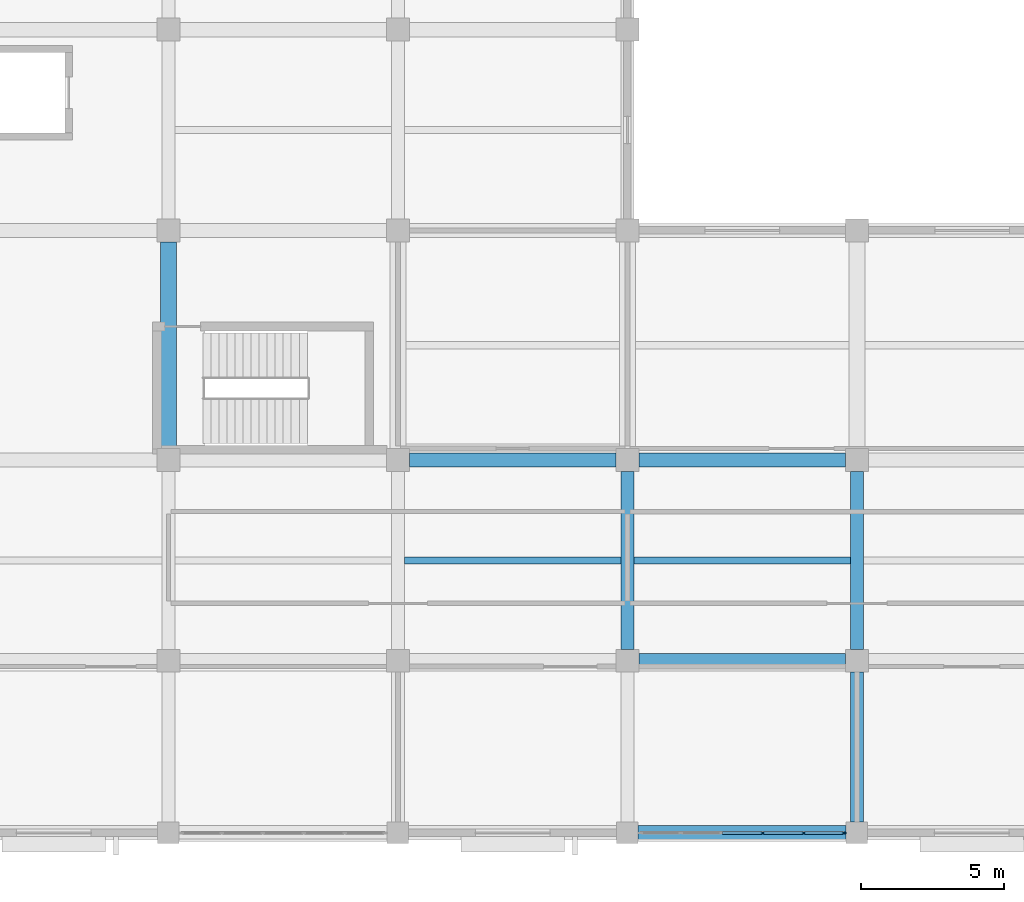
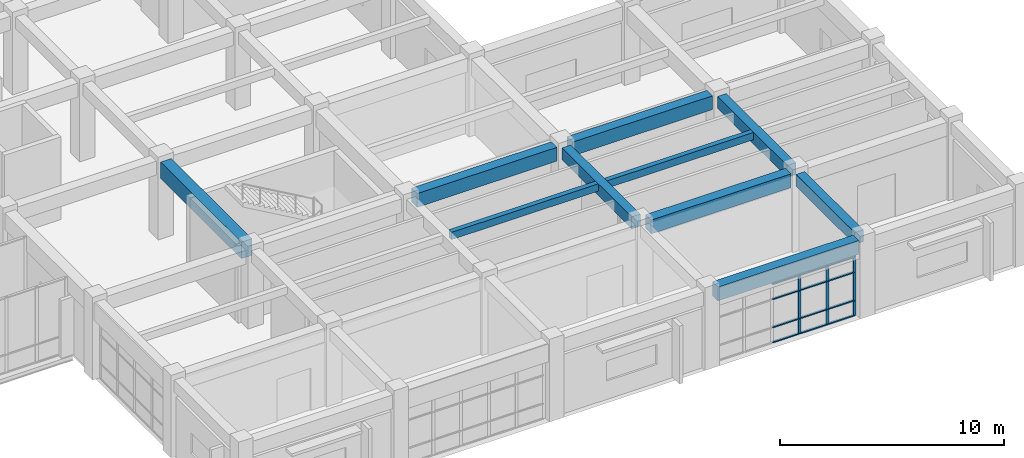
# One storey, part 34 of 70: 15 members, 10 beams, 1 element without a shape of its own.
"""IFC4 building model written with IfcOpenShell, lengths in metres."""

import ifcopenshell
import ifcopenshell.guid

model = None  # the IFC model being written
_history = None  # IfcOwnerHistory: only IFC2X3 demands one
_inside = {}  # id of a spatial element -> (the spatial element, [elements in it])
_under = {}  # id of a project, library or spatial element -> (it, [spatial elements below it])
_declared = {}  # id of a project -> (the project, [libraries it declares])
_typed = {}  # id of a type object -> (the type object, [elements of that type])
_made_of = {}  # id of a material, layer set ... -> (it, [elements and type objects made of it])


def new_model(schema):
    """Start an empty IFC model of exactly this schema.

    Asked for "IFC4X3", IfcOpenShell would pick the latest addendum, in which some entities
    have other attributes; the version numbers below select the first issue.
    IFC2X3 requires an IfcOwnerHistory on every rooted entity: one is made here for all.
    """
    global model, _history
    if schema == "IFC4X3":
        model = ifcopenshell.file(schema_version=(4, 3, 0, 0))
    else:
        model = ifcopenshell.file(schema=schema)
    _inside.clear()
    _under.clear()
    _declared.clear()
    _typed.clear()
    _made_of.clear()
    _history = None
    if model.schema == "IFC2X3":
        org = make("IfcOrganization", Name="unknown")
        user = make(
            "IfcPersonAndOrganization",
            ThePerson=make("IfcPerson", FamilyName="unknown"),
            TheOrganization=org,
        )
        app = make(
            "IfcApplication",
            ApplicationDeveloper=org,
            Version="unknown",
            ApplicationFullName="unknown",
            ApplicationIdentifier="unknown",
        )
        _history = make(
            "IfcOwnerHistory",
            OwningUser=user,
            OwningApplication=app,
            ChangeAction="ADDED",
            CreationDate=0,
        )
    return model


def make(cls, **values):
    """One entity of the class cls with the attributes given. An attribute that is None is left unset."""
    return model.create_entity(
        cls, **{name: value for name, value in values.items() if value is not None}
    )


def rooted(cls, **values):
    """An entity with a GlobalId (a new one), such as an element, a storey or a relation."""
    return make(cls, GlobalId=ifcopenshell.guid.new(), OwnerHistory=_history, **values)


def si_unit(unit_type, name, prefix=None):
    """IfcSIUnit, for example si_unit("LENGTHUNIT", "METRE", prefix="MILLI")."""
    return make("IfcSIUnit", UnitType=unit_type, Prefix=prefix, Name=name)


def assignment(units):
    """IfcUnitAssignment: the units of a project."""
    return None if units is None else make("IfcUnitAssignment", Units=units)


def point(xyz):
    """IfcCartesianPoint."""
    return None if xyz is None else make("IfcCartesianPoint", Coordinates=xyz)


def direction(xyz):
    """IfcDirection."""
    return None if xyz is None else make("IfcDirection", DirectionRatios=xyz)


def frame(location, z_axis=None, x_axis=None):
    """IfcAxis2Placement3D, a coordinate frame: its origin and axes. An axis left out is left unset."""
    return make(
        "IfcAxis2Placement3D",
        Location=point(location),
        Axis=direction(z_axis),
        RefDirection=direction(x_axis),
    )


def frame_2d(location, x_axis=None):
    """IfcAxis2Placement2D, a coordinate frame in the plane: its origin and x axis."""
    return make(
        "IfcAxis2Placement2D", Location=point(location), RefDirection=direction(x_axis)
    )


def origin():
    """The frame at (0, 0, 0) with its axes left unset."""
    return frame((0.0, 0.0, 0.0))


def origin_2d():
    """The frame at (0, 0) in the plane with its x axis left unset."""
    return frame_2d((0.0, 0.0))


def place(relative_to, where):
    """IfcLocalPlacement: puts the frame where relative to a parent placement (None: the world)."""
    return make(
        "IfcLocalPlacement", PlacementRelTo=relative_to, RelativePlacement=where
    )


def context(
    kind, dimensions, precision=None, world=None, true_north=None, identifier=None
):
    """IfcGeometricRepresentationContext, for example the 3D "Model" context."""
    return make(
        "IfcGeometricRepresentationContext",
        ContextIdentifier=identifier,
        ContextType=kind,
        CoordinateSpaceDimension=dimensions,
        Precision=precision,
        WorldCoordinateSystem=world,
        TrueNorth=true_north,
    )


def subcontext(parent, identifier, kind, view, scale=None):
    """IfcGeometricRepresentationSubContext, for example "Body" below "Model"."""
    return make(
        "IfcGeometricRepresentationSubContext",
        ContextIdentifier=identifier,
        ContextType=kind,
        ParentContext=parent,
        TargetScale=scale,
        TargetView=view,
    )


def project(units=None, contexts=None):
    """IfcProject with its units and contexts."""
    return rooted(
        "IfcProject",
        Name="project",
        RepresentationContexts=contexts,
        UnitsInContext=assignment(units),
    )


def spatial(cls, under=None, at=None, **own):
    """A site, building, storey or space (cls), placed at a placement, below another one or the project."""
    s = rooted(cls, ObjectPlacement=at, **own)
    if under is not None:
        _under.setdefault(under.id(), (under, []))[1].append(s)
    return s


def profile(cls, at=None, kind="AREA", **sizes):
    """A parametric profile (cls). Its sizes go by their IFC names, for example OverallWidth=200.0."""
    return make(cls, ProfileType=kind, Position=at, **sizes)


def rectangle(**sizes):
    """IfcRectangleProfileDef."""
    return profile("IfcRectangleProfileDef", **sizes)


def extrude(swept, where, along, depth):
    """IfcExtrudedAreaSolid: the profile swept, set in the frame where, extruded along a direction by depth."""
    return make(
        "IfcExtrudedAreaSolid",
        SweptArea=swept,
        Position=where,
        ExtrudedDirection=direction(along),
        Depth=depth,
    )


def shape(context_of_items, identifier, shape_type, items):
    """IfcShapeRepresentation: the items that make up one representation, for example the "Body"."""
    return make(
        "IfcShapeRepresentation",
        ContextOfItems=context_of_items,
        RepresentationIdentifier=identifier,
        RepresentationType=shape_type,
        Items=items,
    )


def material(Name=None, Category=None):
    """IfcMaterial."""
    return make("IfcMaterial", Name=Name, Category=Category)


def layer(
    of_material, thickness, ventilated=None, Name=None, Category=None, Priority=None
):
    """IfcMaterialLayer: one layer of a wall or slab, of a material (None: an air gap)."""
    return make(
        "IfcMaterialLayer",
        Material=of_material,
        LayerThickness=thickness,
        IsVentilated=ventilated,
        Name=Name,
        Category=Category,
        Priority=Priority,
    )


def layer_set(layers, Name=None):
    """IfcMaterialLayerSet."""
    return make("IfcMaterialLayerSet", MaterialLayers=layers, LayerSetName=Name)


def material_profile(
    of_material, cross_section, Name=None, Category=None, Priority=None
):
    """IfcMaterialProfile: a cross section and its material."""
    return make(
        "IfcMaterialProfile",
        Name=Name,
        Material=of_material,
        Profile=cross_section,
        Priority=Priority,
        Category=Category,
    )


def profile_set(profiles, Name=None, composite=None):
    """IfcMaterialProfileSet."""
    return make(
        "IfcMaterialProfileSet",
        Name=Name,
        MaterialProfiles=profiles,
        CompositeProfile=composite,
    )


def made_of(thing, what):
    """Note that an element or type object is made of a material, layer set ...; save() writes the relation."""
    if what is not None:
        _made_of.setdefault(what.id(), (what, []))[1].append(thing)
    return thing


def type_object(cls, material=None, **own):
    """A type object (cls), such as IfcWallType, which elements share."""
    return made_of(rooted(cls, **own), material)


def element(
    cls,
    number,
    at=None,
    inside=None,
    cuts=None,
    type_object=None,
    material=None,
    context=None,
    identifier="Body",
    shape_type=None,
    held_by="IfcProductDefinitionShape",
    body=None,
    shapes=None,
    **own,
):
    """One element of the class cls, such as IfcWall. Its Tag is "e" and its number.

    at: its placement. inside: the storey or other place that contains it. cuts: it is an
    opening in that element (IfcRelVoidsElement). A single representation is given by context,
    identifier, shape_type and body (its items); several are given by shapes. held_by: the class
    of the entity that holds the representations. save() writes the other relations.
    """
    e = rooted(cls, Tag="e%d" % number, ObjectPlacement=at, **own)
    if body is not None:
        shapes = [shape(context, identifier, shape_type, body)]
    if shapes is not None:
        e.Representation = make(held_by, Representations=shapes)
    if inside is not None:
        _inside.setdefault(inside.id(), (inside, []))[1].append(e)
    if cuts is not None:
        rooted(
            "IfcRelVoidsElement", RelatingBuildingElement=cuts, RelatedOpeningElement=e
        )
    if type_object is not None:
        _typed.setdefault(type_object.id(), (type_object, []))[1].append(e)
    return made_of(e, material)


def aggregate(whole, parts):
    """IfcRelAggregates: a whole, such as a stair, and the parts it consists of."""
    return rooted("IfcRelAggregates", RelatingObject=whole, RelatedObjects=parts)


def save(model, path):
    """Write the relations noted so far, then the file.

    IfcRelAggregates (storeys below a building ...), IfcRelContainedInSpatialStructure (elements
    in a storey), IfcRelDefinesByType, IfcRelAssociatesMaterial and IfcRelDeclares: one each for
    every whole, place, type object, material and project.
    """
    for whole, parts in _under.values():
        aggregate(whole, parts)
    for where, things in _inside.values():
        rooted(
            "IfcRelContainedInSpatialStructure",
            RelatedElements=things,
            RelatingStructure=where,
        )
    for kind, things in _typed.values():
        rooted("IfcRelDefinesByType", RelatedObjects=things, RelatingType=kind)
    for what, things in _made_of.values():
        rooted("IfcRelAssociatesMaterial", RelatedObjects=things, RelatingMaterial=what)
    for by, libraries in _declared.values():
        rooted("IfcRelDeclares", RelatingContext=by, RelatedDefinitions=libraries)
    model.write(path)


model = new_model("IFC4")

# Units and contexts
model_context = context("Model", 3, precision=1e-05, world=origin(), true_north=direction((0.0, 1.0)))
body_context = subcontext(model_context, "Body", "Model", "MODEL_VIEW")
ifc_project = project(units=[si_unit("LENGTHUNIT", "METRE"), si_unit("AREAUNIT", "SQUARE_METRE"), si_unit("VOLUMEUNIT", "CUBIC_METRE"), si_unit("PLANEANGLEUNIT", "RADIAN"), si_unit("MASSUNIT", "GRAM", prefix="KILO")], contexts=[model_context])

# Site, building, storey
site_placement = place(None, origin())
site = spatial("IfcSite", under=ifc_project, at=site_placement, CompositionType="ELEMENT")
building_placement = place(site_placement, origin())
building = spatial("IfcBuilding", under=site, at=building_placement, Name="Naurynzar Civic Courthouse", CompositionType="ELEMENT")
storey_placement = place(building_placement, frame((0.0, 0.0, 5.39990234375)))
storey = spatial("IfcBuildingStorey", under=building, at=storey_placement, Name="L02", CompositionType="ELEMENT", Elevation=5.39990234375)

# Beams
ifc_material_1 = material(Name="Concrete C40/50", Category="concrete")
ifc_material_profile_1 = material_profile(ifc_material_1, rectangle(XDim=0.25, YDim=0.39990234375, at=origin_2d()), Name="RCB 250x400")
ifc_profile_set_1 = profile_set([ifc_material_profile_1], Name="Concrete C40/50")
beam_type_1 = type_object("IfcBeamType", Name="BM-JST-250x400", PredefinedType="JOIST", material=ifc_profile_set_1)
for number, where, z_axis, x_axis, name in (
    (1, (146.22509765625, 13.5, 4.0), (1.0, 0.0, 0.0), (0.0, 1.0, 0.0), "V5 secondary rib 2347 L02"),
    (2, (154.22509765625, 13.5, 4.0), (1.0, 0.0, 0.0), (0.0, 1.0, 0.0), "V5 secondary rib 2348 L02"),
):
    element("IfcBeam", number, at=place(storey_placement, frame(where, z_axis=z_axis, x_axis=x_axis)), inside=storey, type_object=beam_type_1, Name=name, PredefinedType="JOIST", context=body_context, shape_type="SweptSolid", body=[
        extrude(rectangle(XDim=0.25, YDim=0.39990234375, at=origin_2d()), origin(), (0.0, 0.0, 1.0), 7.5498046875),
    ])
ifc_material_2 = material(Name="Concrete C40/50", Category="concrete")
ifc_material_profile_2 = material_profile(ifc_material_2, rectangle(XDim=0.449951171875, YDim=0.64990234375, at=origin_2d()), Name="RCB 450x650")
ifc_profile_set_2 = profile_set([ifc_material_profile_2], Name="Concrete C40/50")
beam_type_2 = type_object("IfcBeamType", Name="BM-RC-450x650", PredefinedType="BEAM", material=ifc_profile_set_2)
beam_1_placement = place(storey_placement, frame((154.0, 10.39990234375, 3.875), z_axis=(0.0, 1.0, 0.0), x_axis=(-1.0, 0.0, 0.0)))
element("IfcBeam", 3, at=beam_1_placement, inside=storey, type_object=beam_type_2, Name="V5 girder Y-2325 L02", PredefinedType="BEAM", context=body_context, shape_type="SweptSolid", body=[
    extrude(rectangle(XDim=0.449951171875, YDim=0.64990234375, at=origin_2d()), origin(), (0.0, 0.0, 1.0), 6.2001953125),
])
beam_2_placement = place(storey_placement, frame((162.0, 4.375, 3.875), z_axis=(0.0, 1.0, 0.0), x_axis=(-1.0, 0.0, 0.0)))
element("IfcBeam", 4, at=beam_2_placement, inside=storey, type_object=beam_type_2, Name="V5 girder Y-2333 L02", PredefinedType="BEAM", context=body_context, shape_type="SweptSolid", body=[
    extrude(rectangle(XDim=0.449951171875, YDim=0.64990234375, at=origin_2d()), origin(), (0.0, 0.0, 1.0), 5.22509765625),
])
beam_3_placement = place(storey_placement, frame((162.0, 10.39990234375, 3.875), z_axis=(0.0, 1.0, 0.0), x_axis=(-1.0, 0.0, 0.0)))
element("IfcBeam", 5, at=beam_3_placement, inside=storey, type_object=beam_type_2, Name="V5 girder Y-2334 L02", PredefinedType="BEAM", context=body_context, shape_type="SweptSolid", body=[
    extrude(rectangle(XDim=0.449951171875, YDim=0.64990234375, at=origin_2d()), origin(), (0.0, 0.0, 1.0), 6.2001953125),
])
ifc_material_3 = material(Name="Concrete C40/50", Category="concrete")
ifc_material_profile_3 = material_profile(ifc_material_3, rectangle(XDim=0.5, YDim=0.75, at=origin_2d()), Name="RCB 500x750")
ifc_profile_set_3 = profile_set([ifc_material_profile_3], Name="Concrete C40/50")
beam_type_3 = type_object("IfcBeamType", Name="BM-RC-500x750", PredefinedType="BEAM", material=ifc_profile_set_3)
beam_4_placement = place(storey_placement, frame((154.375, 4.0, 3.8251953125), z_axis=(1.0, 0.0, 0.0), x_axis=(0.0, 1.0, 0.0)))
element("IfcBeam", 6, at=beam_4_placement, inside=storey, type_object=beam_type_3, Name="V5 beam X-2254 L02", PredefinedType="BEAM", context=body_context, shape_type="SweptSolid", body=[
    extrude(rectangle(XDim=0.5, YDim=0.75, at=origin_2d()), origin(), (0.0, 0.0, 1.0), 7.25),
])
for number, where, z_axis, x_axis, name in (
    (7, (154.39990234375, 10.0, 3.8251953125), (1.0, 0.0, 0.0), (0.0, 1.0, 0.0), "V5 beam X-2259 L02"),
    (8, (146.39990234375, 17.0, 3.8251953125), (1.0, 0.0, 0.0), (0.0, 1.0, 0.0), "V5 beam X-2263 L02"),
    (9, (154.39990234375, 17.0, 3.8251953125), (1.0, 0.0, 0.0), (0.0, 1.0, 0.0), "V5 beam X-2264 L02"),
):
    element("IfcBeam", number, at=place(storey_placement, frame(where, z_axis=z_axis, x_axis=x_axis)), inside=storey, type_object=beam_type_3, Name=name, PredefinedType="BEAM", context=body_context, shape_type="SweptSolid", body=[
        extrude(rectangle(XDim=0.5, YDim=0.75, at=origin_2d()), origin(), (0.0, 0.0, 1.0), 7.2001953125),
    ])
ifc_material_4 = material(Name="Concrete C40/50", Category="concrete")
ifc_material_profile_4 = material_profile(ifc_material_4, rectangle(XDim=0.550048828125, YDim=0.89990234375, at=origin_2d()), Name="RCB 550x900")
ifc_profile_set_4 = profile_set([ifc_material_profile_4], Name="Concrete C40/50")
beam_type_4 = type_object("IfcBeamType", Name="BM-RC-550x900", PredefinedType="T_BEAM", material=ifc_profile_set_4)
beam_5_placement = place(storey_placement, frame((138.0, 17.39990234375, 3.75), z_axis=(0.0, 1.0, 0.0), x_axis=(-1.0, 0.0, 0.0)))
element("IfcBeam", 10, at=beam_5_placement, inside=storey, type_object=beam_type_4, Name="V5 girder Y-2308 L02", PredefinedType="T_BEAM", context=body_context, shape_type="SweptSolid", body=[
    extrude(rectangle(XDim=0.550048828125, YDim=0.89990234375, at=origin_2d()), origin(), (0.0, 0.0, 1.0), 7.2001953125),
])

# Curtain wall, members
ifc_material_5 = material(Name="Aluminium 6063-T6", Category="aluminium")
ifc_layer = layer(ifc_material_5, 0.179931640625)
ifc_layer_set = layer_set([ifc_layer], Name="CW-UNIT-1500")
curtain_wall_type = type_object("IfcCurtainWallType", Name="CW-UNIT-1500", PredefinedType="NOTDEFINED", material=ifc_layer_set)
curtain_wall_placement = place(storey_placement, origin())
curtain_wall = element("IfcCurtainWall", 11, at=curtain_wall_placement, inside=storey, type_object=curtain_wall_type, Name="V5 unitised curtain wall 88 L02", PredefinedType="NOTDEFINED")
ifc_material_6 = material(Name="Aluminium 6063-T6", Category="aluminium")
ifc_material_profile_5 = material_profile(ifc_material_6, rectangle(XDim=0.06005859375, YDim=0.14990234375, at=origin_2d()), Name="ALU MULLION 60x150")
ifc_profile_set_5 = profile_set([ifc_material_profile_5], Name="Aluminium 6063-T6")
member_type_1 = type_object("IfcMemberType", Name="CWM-60x150", PredefinedType="MULLION", material=ifc_profile_set_5)
member_1_placement = place(storey_placement, frame((161.544921875, 4.0, 0.0), z_axis=(0.0, 0.0, 1.0), x_axis=(0.0, -1.0, 0.0)))
member_1 = element("IfcMember", 12, at=member_1_placement, type_object=member_type_1, Name="CW-01 mullion 1", PredefinedType="MULLION", context=body_context, shape_type="SweptSolid", body=[
    extrude(rectangle(XDim=0.06005859375, YDim=0.14990234375, at=origin_2d()), origin(), (0.0, 0.0, 1.0), 3.22998046875),
])
member_2_placement = place(storey_placement, frame((160.14501953125, 4.0, 0.0), z_axis=(0.0, 0.0, 1.0), x_axis=(0.0, -1.0, 0.0)))
member_2 = element("IfcMember", 13, at=member_2_placement, type_object=member_type_1, Name="CW-01 mullion 2", PredefinedType="MULLION", context=body_context, shape_type="SweptSolid", body=[
    extrude(rectangle(XDim=0.06005859375, YDim=0.14990234375, at=origin_2d()), origin(), (0.0, 0.0, 1.0), 3.22998046875),
])
member_3_placement = place(storey_placement, frame((158.715087890625, 4.0, 0.0), z_axis=(0.0, 0.0, 1.0), x_axis=(0.0, -1.0, 0.0)))
member_3 = element("IfcMember", 14, at=member_3_placement, type_object=member_type_1, Name="CW-01 mullion 3", PredefinedType="MULLION", context=body_context, shape_type="SweptSolid", body=[
    extrude(rectangle(XDim=0.06005859375, YDim=0.14990234375, at=origin_2d()), origin(), (0.0, 0.0, 1.0), 3.22998046875),
])
ifc_material_7 = material(Name="Aluminium 6063-T6", Category="aluminium")
ifc_material_profile_6 = material_profile(ifc_material_7, rectangle(XDim=0.110107421875, YDim=0.06005859375, at=origin_2d()), Name="ALU TRANSOM 60x110")
ifc_profile_set_6 = profile_set([ifc_material_profile_6], Name="Aluminium 6063-T6")
member_type_2 = type_object("IfcMemberType", Name="CWT-60x110", PredefinedType="USERDEFINED", material=ifc_profile_set_6)
member_4_placement = place(storey_placement, frame((161.514892578125, 4.0, 0.030029296875), z_axis=(-1.0, 0.0, 0.0), x_axis=(0.0, -1.0, 0.0)))
member_4 = element("IfcMember", 15, at=member_4_placement, type_object=member_type_2, Name="CW-01 transom 1.1", ObjectType="TRANSOM", PredefinedType="USERDEFINED", context=body_context, shape_type="SweptSolid", body=[
    extrude(rectangle(XDim=0.110107421875, YDim=0.06005859375, at=origin_2d()), origin(), (0.0, 0.0, 1.0), 1.33984375),
])
member_5_placement = place(storey_placement, frame((161.514892578125, 4.0, 0.85009765625), z_axis=(-1.0, 0.0, 0.0), x_axis=(0.0, -1.0, 0.0)))
member_5 = element("IfcMember", 16, at=member_5_placement, type_object=member_type_2, Name="CW-01 transom 1.2", ObjectType="TRANSOM", PredefinedType="USERDEFINED", context=body_context, shape_type="SweptSolid", body=[
    extrude(rectangle(XDim=0.110107421875, YDim=0.06005859375, at=origin_2d()), origin(), (0.0, 0.0, 1.0), 1.33984375),
])
member_6_placement = place(storey_placement, frame((161.514892578125, 4.0, 2.380126953125), z_axis=(-1.0, 0.0, 0.0), x_axis=(0.0, -1.0, 0.0)))
member_6 = element("IfcMember", 17, at=member_6_placement, type_object=member_type_2, Name="CW-01 transom 1.3", ObjectType="TRANSOM", PredefinedType="USERDEFINED", context=body_context, shape_type="SweptSolid", body=[
    extrude(rectangle(XDim=0.110107421875, YDim=0.06005859375, at=origin_2d()), origin(), (0.0, 0.0, 1.0), 1.33984375),
])
member_7_placement = place(storey_placement, frame((161.514892578125, 4.0, 3.2001953125), z_axis=(-1.0, 0.0, 0.0), x_axis=(0.0, -1.0, 0.0)))
member_7 = element("IfcMember", 18, at=member_7_placement, type_object=member_type_2, Name="CW-01 transom 1.4", ObjectType="TRANSOM", PredefinedType="USERDEFINED", context=body_context, shape_type="SweptSolid", body=[
    extrude(rectangle(XDim=0.110107421875, YDim=0.06005859375, at=origin_2d()), origin(), (0.0, 0.0, 1.0), 1.33984375),
])
member_8_placement = place(storey_placement, frame((160.114990234375, 4.0, 0.030029296875), z_axis=(-1.0, 0.0, 0.0), x_axis=(0.0, -1.0, 0.0)))
member_8 = element("IfcMember", 19, at=member_8_placement, type_object=member_type_2, Name="CW-01 transom 2.1", ObjectType="TRANSOM", PredefinedType="USERDEFINED", context=body_context, shape_type="SweptSolid", body=[
    extrude(rectangle(XDim=0.110107421875, YDim=0.06005859375, at=origin_2d()), origin(), (0.0, 0.0, 1.0), 1.369873046875),
])
member_9_placement = place(storey_placement, frame((160.114990234375, 4.0, 0.85009765625), z_axis=(-1.0, 0.0, 0.0), x_axis=(0.0, -1.0, 0.0)))
member_9 = element("IfcMember", 20, at=member_9_placement, type_object=member_type_2, Name="CW-01 transom 2.2", ObjectType="TRANSOM", PredefinedType="USERDEFINED", context=body_context, shape_type="SweptSolid", body=[
    extrude(rectangle(XDim=0.110107421875, YDim=0.06005859375, at=origin_2d()), origin(), (0.0, 0.0, 1.0), 1.369873046875),
])
member_10_placement = place(storey_placement, frame((160.114990234375, 4.0, 2.380126953125), z_axis=(-1.0, 0.0, 0.0), x_axis=(0.0, -1.0, 0.0)))
member_10 = element("IfcMember", 21, at=member_10_placement, type_object=member_type_2, Name="CW-01 transom 2.3", ObjectType="TRANSOM", PredefinedType="USERDEFINED", context=body_context, shape_type="SweptSolid", body=[
    extrude(rectangle(XDim=0.110107421875, YDim=0.06005859375, at=origin_2d()), origin(), (0.0, 0.0, 1.0), 1.369873046875),
])
member_11_placement = place(storey_placement, frame((160.114990234375, 4.0, 3.2001953125), z_axis=(-1.0, 0.0, 0.0), x_axis=(0.0, -1.0, 0.0)))
member_11 = element("IfcMember", 22, at=member_11_placement, type_object=member_type_2, Name="CW-01 transom 2.4", ObjectType="TRANSOM", PredefinedType="USERDEFINED", context=body_context, shape_type="SweptSolid", body=[
    extrude(rectangle(XDim=0.110107421875, YDim=0.06005859375, at=origin_2d()), origin(), (0.0, 0.0, 1.0), 1.369873046875),
])
member_12_placement = place(storey_placement, frame((158.68505859375, 4.0, 0.030029296875), z_axis=(-1.0, 0.0, 0.0), x_axis=(0.0, -1.0, 0.0)))
member_12 = element("IfcMember", 23, at=member_12_placement, type_object=member_type_2, Name="CW-01 transom 3.1", ObjectType="TRANSOM", PredefinedType="USERDEFINED", context=body_context, shape_type="SweptSolid", body=[
    extrude(rectangle(XDim=0.110107421875, YDim=0.06005859375, at=origin_2d()), origin(), (0.0, 0.0, 1.0), 1.3701171875),
])
member_13_placement = place(storey_placement, frame((158.68505859375, 4.0, 0.85009765625), z_axis=(-1.0, 0.0, 0.0), x_axis=(0.0, -1.0, 0.0)))
member_13 = element("IfcMember", 24, at=member_13_placement, type_object=member_type_2, Name="CW-01 transom 3.2", ObjectType="TRANSOM", PredefinedType="USERDEFINED", context=body_context, shape_type="SweptSolid", body=[
    extrude(rectangle(XDim=0.110107421875, YDim=0.06005859375, at=origin_2d()), origin(), (0.0, 0.0, 1.0), 1.3701171875),
])
member_14_placement = place(storey_placement, frame((158.68505859375, 4.0, 2.380126953125), z_axis=(-1.0, 0.0, 0.0), x_axis=(0.0, -1.0, 0.0)))
member_14 = element("IfcMember", 25, at=member_14_placement, type_object=member_type_2, Name="CW-01 transom 3.3", ObjectType="TRANSOM", PredefinedType="USERDEFINED", context=body_context, shape_type="SweptSolid", body=[
    extrude(rectangle(XDim=0.110107421875, YDim=0.06005859375, at=origin_2d()), origin(), (0.0, 0.0, 1.0), 1.3701171875),
])
member_15_placement = place(storey_placement, frame((158.68505859375, 4.0, 3.2001953125), z_axis=(-1.0, 0.0, 0.0), x_axis=(0.0, -1.0, 0.0)))
member_15 = element("IfcMember", 26, at=member_15_placement, type_object=member_type_2, Name="CW-01 transom 3.4", ObjectType="TRANSOM", PredefinedType="USERDEFINED", context=body_context, shape_type="SweptSolid", body=[
    extrude(rectangle(XDim=0.110107421875, YDim=0.06005859375, at=origin_2d()), origin(), (0.0, 0.0, 1.0), 1.3701171875),
])
aggregate(curtain_wall, [member_1, member_2, member_3, member_4, member_5, member_6, member_7, member_8, member_9, member_10, member_11, member_12, member_13, member_14, member_15])

save(model, "model.ifc")
